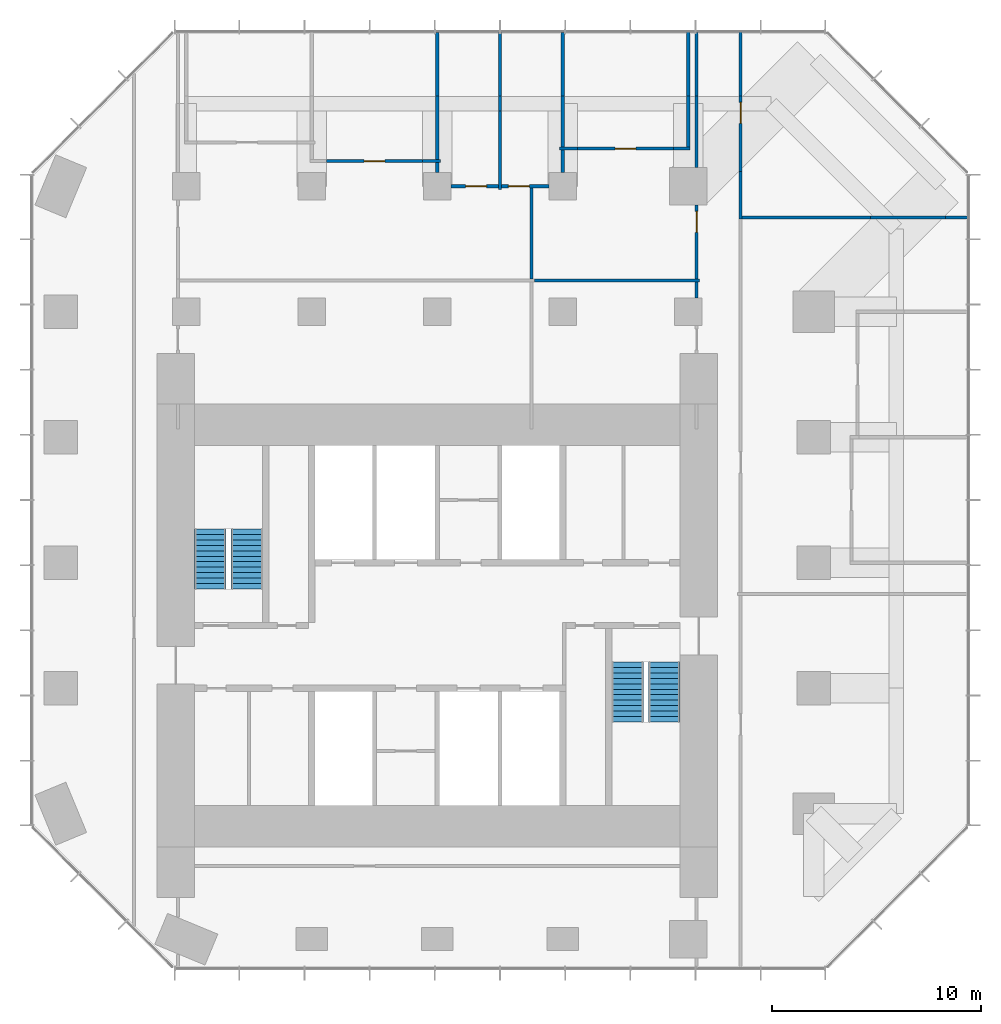
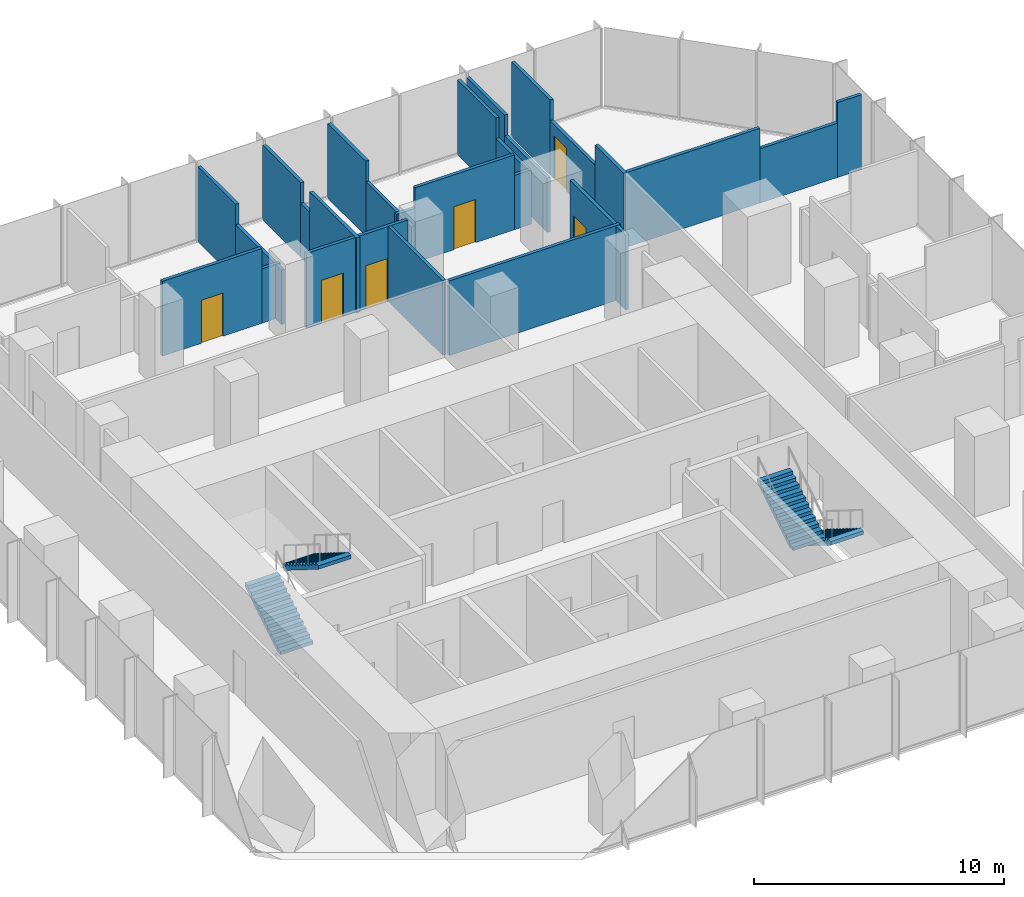
# One storey, part 10 of 11: 30 walls, 6 doors, 4 stair flights, 6 openings, 2 elements without a shape of their own.
"""IFC4 building model written with IfcOpenShell, lengths in metres."""

from ifc_helpers import new_model, si_unit, direction, frame, frame_2d, origin, place, context, subcontext, project, spatial, polyline, rectangle, outline, extrude, material, layer, layer_set, type_object, element, fill, aggregate, save


model = new_model("IFC4")

# Units and contexts
model_context = context("Model", 3, precision=1e-05, world=origin(), true_north=direction((0.0, 1.0)))
body_context = subcontext(model_context, "Body", "Model", "MODEL_VIEW")
ifc_project = project(units=[si_unit("LENGTHUNIT", "METRE"), si_unit("AREAUNIT", "SQUARE_METRE"), si_unit("VOLUMEUNIT", "CUBIC_METRE"), si_unit("PLANEANGLEUNIT", "RADIAN"), si_unit("MASSUNIT", "GRAM", prefix="KILO")], contexts=[model_context])

# Site, building, storey
site_placement = place(None, origin())
site = spatial("IfcSite", under=ifc_project, at=site_placement, CompositionType="ELEMENT")
building_placement = place(site_placement, origin())
building = spatial("IfcBuilding", under=site, at=building_placement, Name="Highveld Stack Headquarters", CompositionType="ELEMENT")
storey_placement = place(building_placement, frame((0.0, 0.0, 181.10009765625)))
storey = spatial("IfcBuildingStorey", under=building, at=storey_placement, Name="L44", CompositionType="ELEMENT", Elevation=181.10009765625)

# Wall, opening, door
ifc_material_1 = material(Name="Gypsum plasterboard on steel studs", Category="steel")
ifc_layer = layer(ifc_material_1, 0.14990234375)
ifc_layer_set = layer_set([ifc_layer], Name="Gypsum plasterboard on steel studs")
wall_type = type_object("IfcWallType", Name="PARTITION 150 PLASTERBOARD", PredefinedType="PARTITIONING", material=ifc_layer_set)
wall_1_placement = place(storey_placement, frame((6.659912109375, 24.0, 0.0), z_axis=(0.0, 0.0, 1.0), x_axis=(1.0, 0.0, 0.0)))
wall_1 = element("IfcWall", 1, at=wall_1_placement, inside=storey, type_object=wall_type, Name="Partition Office L44", PredefinedType="PARTITIONING", context=body_context, shape_type="SweptSolid", body=[
    extrude(rectangle(XDim=2.26513671875, YDim=0.14990234375, at=frame_2d((1.132568359375, 0.0))), origin(), (0.0, 0.0, 1.0), 3.64990234375),
])
opening_1_placement = place(wall_1_placement, frame((0.695068359375, 0.0, 0.0)))
opening_1 = element("IfcOpeningElement", 2, at=opening_1_placement, cuts=wall_1, Name="Opening L44-19", PredefinedType="OPENING", context=body_context, shape_type="SweptSolid", body=[
    extrude(rectangle(XDim=1.0, YDim=2.10009765625, at=frame_2d((0.5, 1.050048828125))), frame((0.0, 0.0849609375, 0.0), z_axis=(0.0, -1.0, 0.0), x_axis=(1.0, 0.0, 0.0)), (0.0, 0.0, 1.0), 0.169921875),
])
ifc_material_2 = material(Name="Timber door, oiled ash", Category="wood")
door_type = type_object("IfcDoorType", Name="ROOM DOOR D6 1000x2100", OperationType="SINGLE_SWING_LEFT", PredefinedType="DOOR", material=ifc_material_2)
door_1_placement = place(opening_1_placement, origin())
door_1 = element("IfcDoor", 3, at=door_1_placement, inside=storey, type_object=door_type, Name="Office door 1 L44", OperationType="SINGLE_SWING_RIGHT", OverallHeight=2.10009765625, OverallWidth=1.0, PredefinedType="DOOR", context=body_context, shape_type="SweptSolid", body=[
    extrude(rectangle(XDim=1.0, YDim=2.10009765625, at=frame_2d((0.5, 1.050048828125))), frame((0.0, 0.02490234375, 0.0), z_axis=(0.0, -1.0, 0.0), x_axis=(1.0, 0.0, 0.0)), (0.0, 0.0, 1.0), 0.050048828125),
])
fill(opening_1, door_1)

wall_2_placement = place(storey_placement, frame((9.074951171875, 24.0, 0.0), z_axis=(0.0, 0.0, 1.0), x_axis=(1.0, 0.0, 0.0)))
wall_2 = element("IfcWall", 4, at=wall_2_placement, inside=storey, type_object=wall_type, Name="Partition Office L44", PredefinedType="PARTITIONING", context=body_context, shape_type="SweptSolid", body=[
    extrude(rectangle(XDim=2.26513671875, YDim=0.14990234375, at=frame_2d((1.132568359375, 0.0))), origin(), (0.0, 0.0, 1.0), 3.64990234375),
])
opening_2_placement = place(wall_2_placement, frame((0.324951171875, 0.0, 0.0)))
opening_2 = element("IfcOpeningElement", 5, at=opening_2_placement, cuts=wall_2, Name="Opening L44-20", PredefinedType="OPENING", context=body_context, shape_type="SweptSolid", body=[
    extrude(rectangle(XDim=1.0, YDim=2.10009765625, at=frame_2d((0.5, 1.050048828125))), frame((0.0, 0.0849609375, 0.0), z_axis=(0.0, -1.0, 0.0), x_axis=(1.0, 0.0, 0.0)), (0.0, 0.0, 1.0), 0.169921875),
])
door_2_placement = place(opening_2_placement, origin())
door_2 = element("IfcDoor", 6, at=door_2_placement, inside=storey, type_object=door_type, Name="Office door 1 L44", OperationType="SINGLE_SWING_LEFT", OverallHeight=2.10009765625, OverallWidth=1.0, PredefinedType="DOOR", context=body_context, shape_type="SweptSolid", body=[
    extrude(rectangle(XDim=1.0, YDim=2.10009765625, at=frame_2d((0.5, 1.050048828125))), frame((0.0, 0.02490234375, 0.0), z_axis=(0.0, -1.0, 0.0), x_axis=(1.0, 0.0, 0.0)), (0.0, 0.0, 1.0), 0.050048828125),
])
fill(opening_2, door_2)

wall_3_placement = place(storey_placement, frame((0.7099609375, 25.199951171875, 0.0), z_axis=(0.0, 0.0, 1.0), x_axis=(1.0, 0.0, 0.0)))
wall_3 = element("IfcWall", 7, at=wall_3_placement, inside=storey, type_object=wall_type, Name="Partition Tea kitchen L44", PredefinedType="PARTITIONING", context=body_context, shape_type="SweptSolid", body=[
    extrude(rectangle(XDim=4.580078125, YDim=0.14990234375, at=frame_2d((2.2900390625, 0.0))), origin(), (0.0, 0.0, 1.0), 3.64990234375),
])
opening_3_placement = place(wall_3_placement, frame((1.7900390625, 0.0, 0.0)))
opening_3 = element("IfcOpeningElement", 8, at=opening_3_placement, cuts=wall_3, Name="Opening L44-18", PredefinedType="OPENING", context=body_context, shape_type="SweptSolid", body=[
    extrude(rectangle(XDim=1.0, YDim=2.10009765625, at=frame_2d((0.5, 1.050048828125))), frame((0.0, 0.0849609375, 0.0), z_axis=(0.0, -1.0, 0.0), x_axis=(1.0, 0.0, 0.0)), (0.0, 0.0, 1.0), 0.169921875),
])
door_3_placement = place(opening_3_placement, origin())
door_3 = element("IfcDoor", 9, at=door_3_placement, inside=storey, type_object=door_type, Name="Tea kitchen door 1 L44", OperationType="SINGLE_SWING_LEFT", OverallHeight=2.10009765625, OverallWidth=1.0, PredefinedType="DOOR", context=body_context, shape_type="SweptSolid", body=[
    extrude(rectangle(XDim=1.0, YDim=2.10009765625, at=frame_2d((0.5, 1.050048828125))), frame((0.0, 0.02490234375, 0.0), z_axis=(0.0, -1.0, 0.0), x_axis=(1.0, 0.0, 0.0)), (0.0, 0.0, 1.0), 0.050048828125),
])
fill(opening_3, door_3)

# Walls
for number, where, z_axis, x_axis, name in (
    (10, (5.2900390625, 25.199951171875, 0.0), (0.0, 0.0, 1.0), (1.0, 0.0, 0.0), "Partition Tea kitchen L44"),
    (11, (11.85009765625, 25.800048828125, 0.0), (0.0, 0.0, 1.0), (1.0, 0.0, 0.0), "Partition Print room L44"),
):
    element("IfcWall", number, at=place(storey_placement, frame(where, z_axis=z_axis, x_axis=x_axis)), inside=storey, type_object=wall_type, Name=name, PredefinedType="PARTITIONING", context=body_context, shape_type="SweptSolid", body=[
        extrude(rectangle(XDim=0.85986328125, YDim=0.14990234375, at=frame_2d((0.429931640625, 0.0))), origin(), (0.0, 0.0, 1.0), 2.64990234375),
    ])

# Wall, opening, door
wall_4_placement = place(storey_placement, frame((12.7099609375, 25.800048828125, 0.0), z_axis=(0.0, 0.0, 1.0), x_axis=(1.0, 0.0, 0.0)))
wall_4 = element("IfcWall", 12, at=wall_4_placement, inside=storey, type_object=wall_type, Name="Partition Print room L44", PredefinedType="PARTITIONING", context=body_context, shape_type="SweptSolid", body=[
    extrude(rectangle(XDim=4.580078125, YDim=0.14990234375, at=frame_2d((2.2900390625, 0.0))), origin(), (0.0, 0.0, 1.0), 3.64990234375),
])
opening_4_placement = place(wall_4_placement, frame((1.7900390625, 0.0, 0.0)))
opening_4 = element("IfcOpeningElement", 13, at=opening_4_placement, cuts=wall_4, Name="Opening L44-21", PredefinedType="OPENING", context=body_context, shape_type="SweptSolid", body=[
    extrude(rectangle(XDim=1.0, YDim=2.10009765625, at=frame_2d((0.5, 1.050048828125))), frame((0.0, 0.0849609375, 0.0), z_axis=(0.0, -1.0, 0.0), x_axis=(1.0, 0.0, 0.0)), (0.0, 0.0, 1.0), 0.169921875),
])
door_4_placement = place(opening_4_placement, origin())
door_4 = element("IfcDoor", 14, at=door_4_placement, inside=storey, type_object=door_type, Name="Print room door 1 L44", OperationType="SINGLE_SWING_LEFT", OverallHeight=2.10009765625, OverallWidth=1.0, PredefinedType="DOOR", context=body_context, shape_type="SweptSolid", body=[
    extrude(rectangle(XDim=1.0, YDim=2.10009765625, at=frame_2d((0.5, 1.050048828125))), frame((0.0, 0.02490234375, 0.0), z_axis=(0.0, -1.0, 0.0), x_axis=(1.0, 0.0, 0.0)), (0.0, 0.0, 1.0), 0.050048828125),
])
fill(opening_4, door_4)

# Walls
wall_5_placement = place(storey_placement, frame((17.2900390625, 25.800048828125, 0.0), z_axis=(0.0, 0.0, 1.0), x_axis=(1.0, 0.0, 0.0)))
element("IfcWall", 15, at=wall_5_placement, inside=storey, type_object=wall_type, Name="Partition Print room L44", PredefinedType="PARTITIONING", context=body_context, shape_type="SweptSolid", body=[
    extrude(rectangle(XDim=0.784912109375, YDim=0.14990234375, at=frame_2d((0.392578125, 0.0))), origin(), (0.0, 0.0, 1.0), 2.64990234375),
])
wall_6_placement = place(storey_placement, frame((6.0, 24.64990234375, 0.0), z_axis=(0.0, 0.0, 1.0), x_axis=(0.0, 1.0, 0.0)))
element("IfcWall", 16, at=wall_6_placement, inside=storey, type_object=wall_type, Name="Partition Office L44", PredefinedType="PARTITIONING", context=body_context, shape_type="SweptSolid", body=[
    extrude(rectangle(XDim=0.47509765625, YDim=0.14990234375, at=frame_2d((0.237548828125, 0.0))), origin(), (0.0, 0.0, 1.0), 2.64990234375),
])
wall_7_placement = place(storey_placement, frame((6.0, 25.27490234375, 0.0), z_axis=(0.0, 0.0, 1.0), x_axis=(0.0, 1.0, 0.0)))
element("IfcWall", 17, at=wall_7_placement, inside=storey, type_object=wall_type, Name="Partition Office / Tea kitchen L44", PredefinedType="PARTITIONING", context=body_context, shape_type="SweptSolid", body=[
    extrude(rectangle(XDim=3.03515625, YDim=0.14990234375, at=frame_2d((1.517578125, 0.0))), origin(), (0.0, 0.0, 1.0), 2.64990234375),
])
wall_8_placement = place(storey_placement, frame((6.0, 28.31005859375, 0.0), z_axis=(0.0, 0.0, 1.0), x_axis=(0.0, 1.0, 0.0)))
element("IfcWall", 18, at=wall_8_placement, inside=storey, type_object=wall_type, Name="Partition Office / Tea kitchen L44", PredefinedType="PARTITIONING", context=body_context, shape_type="SweptSolid", body=[
    extrude(rectangle(XDim=3.0400390625, YDim=0.14990234375, at=frame_2d((1.52001953125, 0.0))), origin(), (0.0, 0.0, 1.0), 3.64990234375),
])
wall_9_placement = place(storey_placement, frame((9.0, 23.85009765625, 0.0), z_axis=(0.0, 0.0, 1.0), x_axis=(0.0, 1.0, 0.0)))
element("IfcWall", 19, at=wall_9_placement, inside=storey, type_object=wall_type, Name="Partition Office L44", PredefinedType="PARTITIONING", context=body_context, shape_type="SweptSolid", body=[
    extrude(rectangle(XDim=3.739990234375, YDim=0.14990234375, at=frame_2d((1.8701171875, 0.0))), origin(), (0.0, 0.0, 1.0), 3.64990234375),
])
wall_10_placement = place(storey_placement, frame((9.0, 27.590087890625, 0.0), z_axis=(0.0, 0.0, 1.0), x_axis=(0.0, 1.0, 0.0)))
element("IfcWall", 20, at=wall_10_placement, inside=storey, type_object=wall_type, Name="Partition Office L44", PredefinedType="PARTITIONING", context=body_context, shape_type="SweptSolid", body=[
    extrude(rectangle(XDim=0.719970703125, YDim=0.14990234375, at=frame_2d((0.35986328125, 0.0))), origin(), (0.0, 0.0, 1.0), 2.64990234375),
])
wall_11_placement = place(storey_placement, frame((9.0, 28.31005859375, 0.0), z_axis=(0.0, 0.0, 1.0), x_axis=(0.0, 1.0, 0.0)))
element("IfcWall", 21, at=wall_11_placement, inside=storey, type_object=wall_type, Name="Partition Office L44", PredefinedType="PARTITIONING", context=body_context, shape_type="SweptSolid", body=[
    extrude(rectangle(XDim=3.0400390625, YDim=0.14990234375, at=frame_2d((1.52001953125, 0.0))), origin(), (0.0, 0.0, 1.0), 3.64990234375),
])
wall_12_placement = place(storey_placement, frame((12.0, 24.64990234375, 0.0), z_axis=(0.0, 0.0, 1.0), x_axis=(0.0, 1.0, 0.0)))
element("IfcWall", 22, at=wall_12_placement, inside=storey, type_object=wall_type, Name="Partition Office L44", PredefinedType="PARTITIONING", context=body_context, shape_type="SweptSolid", body=[
    extrude(rectangle(XDim=1.0751953125, YDim=0.14990234375, at=frame_2d((0.53759765625, 0.0))), origin(), (0.0, 0.0, 1.0), 2.64990234375),
])
wall_13_placement = place(storey_placement, frame((12.0, 25.875, 0.0), z_axis=(0.0, 0.0, 1.0), x_axis=(0.0, 1.0, 0.0)))
element("IfcWall", 23, at=wall_13_placement, inside=storey, type_object=wall_type, Name="Partition Office / Print room L44", PredefinedType="PARTITIONING", context=body_context, shape_type="SweptSolid", body=[
    extrude(rectangle(XDim=2.43505859375, YDim=0.14990234375, at=frame_2d((1.217529296875, 0.0))), origin(), (0.0, 0.0, 1.0), 2.64990234375),
])
wall_14_placement = place(storey_placement, frame((12.0, 28.31005859375, 0.0), z_axis=(0.0, 0.0, 1.0), x_axis=(0.0, 1.0, 0.0)))
element("IfcWall", 24, at=wall_14_placement, inside=storey, type_object=wall_type, Name="Partition Office / Print room L44", PredefinedType="PARTITIONING", context=body_context, shape_type="SweptSolid", body=[
    extrude(rectangle(XDim=3.0400390625, YDim=0.14990234375, at=frame_2d((1.52001953125, 0.0))), origin(), (0.0, 0.0, 1.0), 3.64990234375),
])
wall_15_placement = place(storey_placement, frame((18.0, 25.875, 0.0), z_axis=(0.0, 0.0, 1.0), x_axis=(0.0, 1.0, 0.0)))
element("IfcWall", 25, at=wall_15_placement, inside=storey, type_object=wall_type, Name="Partition Print room L44", PredefinedType="PARTITIONING", context=body_context, shape_type="SweptSolid", body=[
    extrude(rectangle(XDim=2.43505859375, YDim=0.14990234375, at=frame_2d((1.217529296875, 0.0))), origin(), (0.0, 0.0, 1.0), 2.64990234375),
])
wall_16_placement = place(storey_placement, frame((18.0, 28.31005859375, 0.0), z_axis=(0.0, 0.0, 1.0), x_axis=(0.0, 1.0, 0.0)))
element("IfcWall", 26, at=wall_16_placement, inside=storey, type_object=wall_type, Name="Partition Print room L44", PredefinedType="PARTITIONING", context=body_context, shape_type="SweptSolid", body=[
    extrude(rectangle(XDim=3.08984375, YDim=0.14990234375, at=frame_2d((1.544921875, 0.0))), origin(), (0.0, 0.0, 1.0), 3.64990234375),
])
wall_17_placement = place(storey_placement, frame((10.5, 19.574951171875, 0.0), z_axis=(0.0, 0.0, 1.0), x_axis=(0.0, 1.0, 0.0)))
element("IfcWall", 27, at=wall_17_placement, inside=storey, type_object=wall_type, Name="Partition office neighbourhood L44", PredefinedType="PARTITIONING", context=body_context, shape_type="SweptSolid", body=[
    extrude(rectangle(XDim=4.35009765625, YDim=0.14990234375, at=frame_2d((2.175048828125, 0.0))), origin(), (0.0, 0.0, 1.0), 3.64990234375),
])
wall_18_placement = place(storey_placement, frame((10.64990234375, 19.5, 0.0), z_axis=(0.0, 0.0, 1.0), x_axis=(1.0, 0.0, 0.0)))
element("IfcWall", 28, at=wall_18_placement, inside=storey, type_object=wall_type, Name="Partition office neighbourhood L44", PredefinedType="PARTITIONING", context=body_context, shape_type="SweptSolid", body=[
    extrude(rectangle(XDim=7.900146484375, YDim=0.14990234375, at=frame_2d((3.9501953125, 0.0))), origin(), (0.0, 0.0, 1.0), 3.64990234375),
])
wall_19_placement = place(storey_placement, frame((18.39990234375, 18.64990234375, 0.0), z_axis=(0.0, 0.0, 1.0), x_axis=(0.0, 1.0, 0.0)))
element("IfcWall", 29, at=wall_19_placement, inside=storey, type_object=wall_type, Name="Partition office neighbourhood L44", PredefinedType="PARTITIONING", context=body_context, shape_type="SweptSolid", body=[
    extrude(rectangle(XDim=0.775146484375, YDim=0.14990234375, at=frame_2d((0.3876953125, 0.0))), origin(), (0.0, 0.0, 1.0), 3.64990234375),
])

# Wall, opening, door
wall_20_placement = place(storey_placement, frame((18.39990234375, 19.574951171875, 0.0), z_axis=(0.0, 0.0, 1.0), x_axis=(0.0, 1.0, 0.0)))
wall_20 = element("IfcWall", 30, at=wall_20_placement, inside=storey, type_object=wall_type, Name="Partition office neighbourhood L44", PredefinedType="PARTITIONING", context=body_context, shape_type="SweptSolid", body=[
    extrude(rectangle(XDim=3.525146484375, YDim=0.14990234375, at=frame_2d((1.7626953125, 0.0))), origin(), (0.0, 0.0, 1.0), 3.64990234375),
])
opening_5_placement = place(wall_20_placement, frame((2.22509765625, 0.0, 0.0)))
opening_5 = element("IfcOpeningElement", 31, at=opening_5_placement, cuts=wall_20, Name="Opening L44-26", PredefinedType="OPENING", context=body_context, shape_type="SweptSolid", body=[
    extrude(rectangle(XDim=1.0, YDim=2.10009765625, at=frame_2d((0.5, 1.050048828125))), frame((0.0, 0.0849609375, 0.0), z_axis=(0.0, -1.0, 0.0), x_axis=(1.0, 0.0, 0.0)), (0.0, 0.0, 1.0), 0.169921875),
])
door_5_placement = place(opening_5_placement, origin())
door_5 = element("IfcDoor", 32, at=door_5_placement, inside=storey, type_object=door_type, Name="Office neighbourhood door L44", OperationType="SINGLE_SWING_RIGHT", OverallHeight=2.10009765625, OverallWidth=1.0, PredefinedType="DOOR", context=body_context, shape_type="SweptSolid", body=[
    extrude(rectangle(XDim=1.0, YDim=2.10009765625, at=frame_2d((0.5, 1.050048828125))), frame((0.0, 0.02490234375, 0.0), z_axis=(0.0, -1.0, 0.0), x_axis=(1.0, 0.0, 0.0)), (0.0, 0.0, 1.0), 0.050048828125),
])
fill(opening_5, door_5)

# Walls
wall_21_placement = place(storey_placement, frame((18.39990234375, 24.89990234375, 0.0), z_axis=(0.0, 0.0, 1.0), x_axis=(0.0, 1.0, 0.0)))
element("IfcWall", 33, at=wall_21_placement, inside=storey, type_object=wall_type, Name="Partition office neighbourhood L44", PredefinedType="PARTITIONING", context=body_context, shape_type="SweptSolid", body=[
    extrude(rectangle(XDim=3.41015625, YDim=0.14990234375, at=frame_2d((1.705078125, 0.0))), origin(), (0.0, 0.0, 1.0), 2.64990234375),
])
wall_22_placement = place(storey_placement, frame((18.39990234375, 28.31005859375, 0.0), z_axis=(0.0, 0.0, 1.0), x_axis=(0.0, 1.0, 0.0)))
element("IfcWall", 34, at=wall_22_placement, inside=storey, type_object=wall_type, Name="Partition office neighbourhood L44", PredefinedType="PARTITIONING", context=body_context, shape_type="SweptSolid", body=[
    extrude(rectangle(XDim=3.0400390625, YDim=0.14990234375, at=frame_2d((1.52001953125, 0.0))), origin(), (0.0, 0.0, 1.0), 3.64990234375),
])
wall_23_placement = place(storey_placement, frame((20.5, 22.425048828125, 0.0), z_axis=(0.0, 0.0, 1.0), x_axis=(0.0, 1.0, 0.0)))
element("IfcWall", 35, at=wall_23_placement, inside=storey, type_object=wall_type, Name="Partition office neighbourhood L44", PredefinedType="PARTITIONING", context=body_context, shape_type="SweptSolid", body=[
    extrude(rectangle(XDim=2.282958984375, YDim=0.14990234375, at=frame_2d((1.1416015625, 0.0))), origin(), (0.0, 0.0, 1.0), 3.64990234375),
])

# Wall, opening, door
wall_24_placement = place(storey_placement, frame((20.5, 24.7080078125, 0.0), z_axis=(0.0, 0.0, 1.0), x_axis=(0.0, 1.0, 0.0)))
wall_24 = element("IfcWall", 36, at=wall_24_placement, inside=storey, type_object=wall_type, Name="Partition office neighbourhood L44", PredefinedType="PARTITIONING", context=body_context, shape_type="SweptSolid", body=[
    extrude(rectangle(XDim=3.60205078125, YDim=0.14990234375, at=frame_2d((1.801025390625, 0.0))), origin(), (0.0, 0.0, 1.0), 2.64990234375),
])
opening_6_placement = place(wall_24_placement, frame((2.302001953125, 0.0, 0.0)))
opening_6 = element("IfcOpeningElement", 37, at=opening_6_placement, cuts=wall_24, Name="Opening L44-27", PredefinedType="OPENING", context=body_context, shape_type="SweptSolid", body=[
    extrude(rectangle(XDim=1.0, YDim=2.10009765625, at=frame_2d((0.5, 1.050048828125))), frame((0.0, 0.0849609375, 0.0), z_axis=(0.0, -1.0, 0.0), x_axis=(1.0, 0.0, 0.0)), (0.0, 0.0, 1.0), 0.169921875),
])
door_6_placement = place(opening_6_placement, origin())
door_6 = element("IfcDoor", 38, at=door_6_placement, inside=storey, type_object=door_type, Name="Office neighbourhood door L44", OperationType="SINGLE_SWING_RIGHT", OverallHeight=2.10009765625, OverallWidth=1.0, PredefinedType="DOOR", context=body_context, shape_type="SweptSolid", body=[
    extrude(rectangle(XDim=1.0, YDim=2.10009765625, at=frame_2d((0.5, 1.050048828125))), frame((0.0, 0.02490234375, 0.0), z_axis=(0.0, -1.0, 0.0), x_axis=(1.0, 0.0, 0.0)), (0.0, 0.0, 1.0), 0.050048828125),
])
fill(opening_6, door_6)

# Walls
wall_25_placement = place(storey_placement, frame((20.5, 28.31005859375, 0.0), z_axis=(0.0, 0.0, 1.0), x_axis=(0.0, 1.0, 0.0)))
element("IfcWall", 39, at=wall_25_placement, inside=storey, type_object=wall_type, Name="Partition office neighbourhood L44", PredefinedType="PARTITIONING", context=body_context, shape_type="SweptSolid", body=[
    extrude(rectangle(XDim=3.08984375, YDim=0.14990234375, at=frame_2d((1.544921875, 0.0))), origin(), (0.0, 0.0, 1.0), 3.64990234375),
])
wall_26_placement = place(storey_placement, frame((20.5, 22.5, 0.0), z_axis=(0.0, 0.0, 1.0), x_axis=(1.0, 0.0, 0.0)))
element("IfcWall", 40, at=wall_26_placement, inside=storey, type_object=wall_type, Name="Partition office neighbourhood L44", PredefinedType="PARTITIONING", context=body_context, shape_type="SweptSolid", body=[
    extrude(rectangle(XDim=6.2080078125, YDim=0.14990234375, at=frame_2d((3.10400390625, 0.0))), origin(), (0.0, 0.0, 1.0), 3.64990234375),
])
wall_27_placement = place(storey_placement, frame((26.7080078125, 22.5, 0.0), z_axis=(0.0, 0.0, 1.0), x_axis=(1.0, 0.0, 0.0)))
element("IfcWall", 41, at=wall_27_placement, inside=storey, type_object=wall_type, Name="Partition office neighbourhood L44", PredefinedType="PARTITIONING", context=body_context, shape_type="SweptSolid", body=[
    extrude(rectangle(XDim=3.583984375, YDim=0.14990234375, at=frame_2d((1.7919921875, 0.0))), origin(), (0.0, 0.0, 1.0), 2.64990234375),
])
wall_28_placement = place(storey_placement, frame((30.2919921875, 22.5, 0.0), z_axis=(0.0, 0.0, 1.0), x_axis=(1.0, 0.0, 0.0)))
element("IfcWall", 42, at=wall_28_placement, inside=storey, type_object=wall_type, Name="Partition office neighbourhood L44", PredefinedType="PARTITIONING", context=body_context, shape_type="SweptSolid", body=[
    extrude(rectangle(XDim=1.10791015625, YDim=0.14990234375, at=frame_2d((0.553955078125, 0.0))), origin(), (0.0, 0.0, 1.0), 3.64990234375),
])

# Stair, stair flights
ifc_material_3 = material(Name="Concrete C40/50, precast", Category="concrete")
stair_type_1 = type_object("IfcStairType", Name="STAIR S1 HALF TURN 1500", PredefinedType="HALF_TURN_STAIR", material=ifc_material_3)
stair_1_placement = place(storey_placement, origin())
stair_1 = element("IfcStair", 43, at=stair_1_placement, inside=storey, type_object=stair_type_1, Name="Stair S1 L44", PredefinedType="HALF_TURN_STAIR")
ifc_material_4 = material(Name="Concrete C40/50, precast", Category="concrete")
stair_flight_type = type_object("IfcStairFlightType", Name="STAIR FLIGHT 1500 PRECAST", PredefinedType="STRAIGHT", material=ifc_material_4)
stair_flight_1_placement = place(storey_placement, frame((-4.85009765625, 4.75, 0.0), z_axis=(0.0, 0.0, 1.0), x_axis=(0.0, 1.0, 0.0)))
stair_flight_1 = element("IfcStairFlight", 44, at=stair_flight_1_placement, type_object=stair_flight_type, Name="S1 flight 1", NumberOfRisers=12, NumberOfTreads=11, PredefinedType="STRAIGHT", RiserHeight=0.1625, TreadLength=0.26, context=body_context, shape_type="SweptSolid", body=[
    extrude(outline(polyline([(0.0, 0.0), (0.0, 0.16259765625), (0.260009765625, 0.16259765625), (0.260009765625, 0.324951171875), (0.52001953125, 0.324951171875), (0.52001953125, 0.487548828125), (0.780029296875, 0.487548828125), (0.780029296875, 0.64990234375), (1.0400390625, 0.64990234375), (1.0400390625, 0.8125), (1.300048828125, 0.8125), (1.300048828125, 0.97509765625), (1.56005859375, 0.97509765625), (1.56005859375, 1.137451171875), (1.820068359375, 1.137451171875), (1.820068359375, 1.300048828125), (2.080078125, 1.300048828125), (2.080078125, 1.46240234375), (2.340087890625, 1.46240234375), (2.340087890625, 1.625), (2.60009765625, 1.625), (2.60009765625, 1.78759765625), (2.860107421875, 1.78759765625), (2.860107421875, 1.949951171875), (2.860107421875, 1.61083984375), (0.28271484375, 0.0), (0.0, 0.0)])), frame((0.0, 0.75, 0.0), z_axis=(0.0, -1.0, 0.0), x_axis=(1.0, 0.0, 0.0)), (0.0, 0.0, 1.0), 1.5),
])
stair_flight_2_placement = place(storey_placement, frame((-3.10009765625, 7.610107421875, 1.949951171875), z_axis=(0.0, 0.0, 1.0), x_axis=(0.0, -1.0, 0.0)))
stair_flight_2 = element("IfcStairFlight", 45, at=stair_flight_2_placement, type_object=stair_flight_type, Name="S1 flight 2", NumberOfRisers=12, NumberOfTreads=11, PredefinedType="STRAIGHT", RiserHeight=0.1625, TreadLength=0.26, context=body_context, shape_type="SweptSolid", body=[
    extrude(outline(polyline([(0.0, 0.0), (0.0, 0.16259765625), (0.260009765625, 0.16259765625), (0.260009765625, 0.324951171875), (0.52001953125, 0.324951171875), (0.52001953125, 0.487548828125), (0.780029296875, 0.487548828125), (0.780029296875, 0.64990234375), (1.0400390625, 0.64990234375), (1.0400390625, 0.8125), (1.300048828125, 0.8125), (1.300048828125, 0.97509765625), (1.56005859375, 0.97509765625), (1.56005859375, 1.137451171875), (1.820068359375, 1.137451171875), (1.820068359375, 1.300048828125), (2.080078125, 1.300048828125), (2.080078125, 1.46240234375), (2.340087890625, 1.46240234375), (2.340087890625, 1.625), (2.60009765625, 1.625), (2.60009765625, 1.78759765625), (2.860107421875, 1.78759765625), (2.860107421875, 1.949951171875), (2.860107421875, 1.61083984375), (0.28271484375, 0.0), (0.0, 0.0)])), frame((0.0, 0.75, 0.0), z_axis=(0.0, -1.0, 0.0), x_axis=(1.0, 0.0, 0.0)), (0.0, 0.0, 1.0), 1.5),
])
aggregate(stair_1, [stair_flight_1, stair_flight_2])

ifc_material_5 = material(Name="Concrete C40/50, precast", Category="concrete")
stair_type_2 = type_object("IfcStairType", Name="STAIR S2 HALF TURN 1500", PredefinedType="HALF_TURN_STAIR", material=ifc_material_5)
stair_2_placement = place(storey_placement, origin())
stair_2 = element("IfcStair", 46, at=stair_2_placement, inside=storey, type_object=stair_type_2, Name="Stair S2 L44", PredefinedType="HALF_TURN_STAIR")
stair_flight_3_placement = place(storey_placement, frame((16.85009765625, 1.25, 0.0), z_axis=(0.0, 0.0, 1.0), x_axis=(0.0, -1.0, 0.0)))
stair_flight_3 = element("IfcStairFlight", 47, at=stair_flight_3_placement, type_object=stair_flight_type, Name="S2 flight 1", NumberOfRisers=12, NumberOfTreads=11, PredefinedType="STRAIGHT", RiserHeight=0.1625, TreadLength=0.26, context=body_context, shape_type="SweptSolid", body=[
    extrude(outline(polyline([(0.0, 0.0), (0.0, 0.16259765625), (0.260009765625, 0.16259765625), (0.260009765625, 0.324951171875), (0.52001953125, 0.324951171875), (0.52001953125, 0.487548828125), (0.780029296875, 0.487548828125), (0.780029296875, 0.64990234375), (1.0400390625, 0.64990234375), (1.0400390625, 0.8125), (1.300048828125, 0.8125), (1.300048828125, 0.97509765625), (1.56005859375, 0.97509765625), (1.56005859375, 1.137451171875), (1.820068359375, 1.137451171875), (1.820068359375, 1.300048828125), (2.080078125, 1.300048828125), (2.080078125, 1.46240234375), (2.340087890625, 1.46240234375), (2.340087890625, 1.625), (2.60009765625, 1.625), (2.60009765625, 1.78759765625), (2.860107421875, 1.78759765625), (2.860107421875, 1.949951171875), (2.860107421875, 1.61083984375), (0.28271484375, 0.0), (0.0, 0.0)])), frame((0.0, 0.75, 0.0), z_axis=(0.0, -1.0, 0.0), x_axis=(1.0, 0.0, 0.0)), (0.0, 0.0, 1.0), 1.5),
])
stair_flight_4_placement = place(storey_placement, frame((15.10009765625, -1.610107421875, 1.949951171875), z_axis=(0.0, 0.0, 1.0), x_axis=(0.0, 1.0, 0.0)))
stair_flight_4 = element("IfcStairFlight", 48, at=stair_flight_4_placement, type_object=stair_flight_type, Name="S2 flight 2", NumberOfRisers=12, NumberOfTreads=11, PredefinedType="STRAIGHT", RiserHeight=0.1625, TreadLength=0.26, context=body_context, shape_type="SweptSolid", body=[
    extrude(outline(polyline([(0.0, 0.0), (0.0, 0.16259765625), (0.260009765625, 0.16259765625), (0.260009765625, 0.324951171875), (0.52001953125, 0.324951171875), (0.52001953125, 0.487548828125), (0.780029296875, 0.487548828125), (0.780029296875, 0.64990234375), (1.0400390625, 0.64990234375), (1.0400390625, 0.8125), (1.300048828125, 0.8125), (1.300048828125, 0.97509765625), (1.56005859375, 0.97509765625), (1.56005859375, 1.137451171875), (1.820068359375, 1.137451171875), (1.820068359375, 1.300048828125), (2.080078125, 1.300048828125), (2.080078125, 1.46240234375), (2.340087890625, 1.46240234375), (2.340087890625, 1.625), (2.60009765625, 1.625), (2.60009765625, 1.78759765625), (2.860107421875, 1.78759765625), (2.860107421875, 1.949951171875), (2.860107421875, 1.61083984375), (0.28271484375, 0.0), (0.0, 0.0)])), frame((0.0, 0.75, 0.0), z_axis=(0.0, -1.0, 0.0), x_axis=(1.0, 0.0, 0.0)), (0.0, 0.0, 1.0), 1.5),
])
aggregate(stair_2, [stair_flight_3, stair_flight_4])

save(model, "model.ifc")
